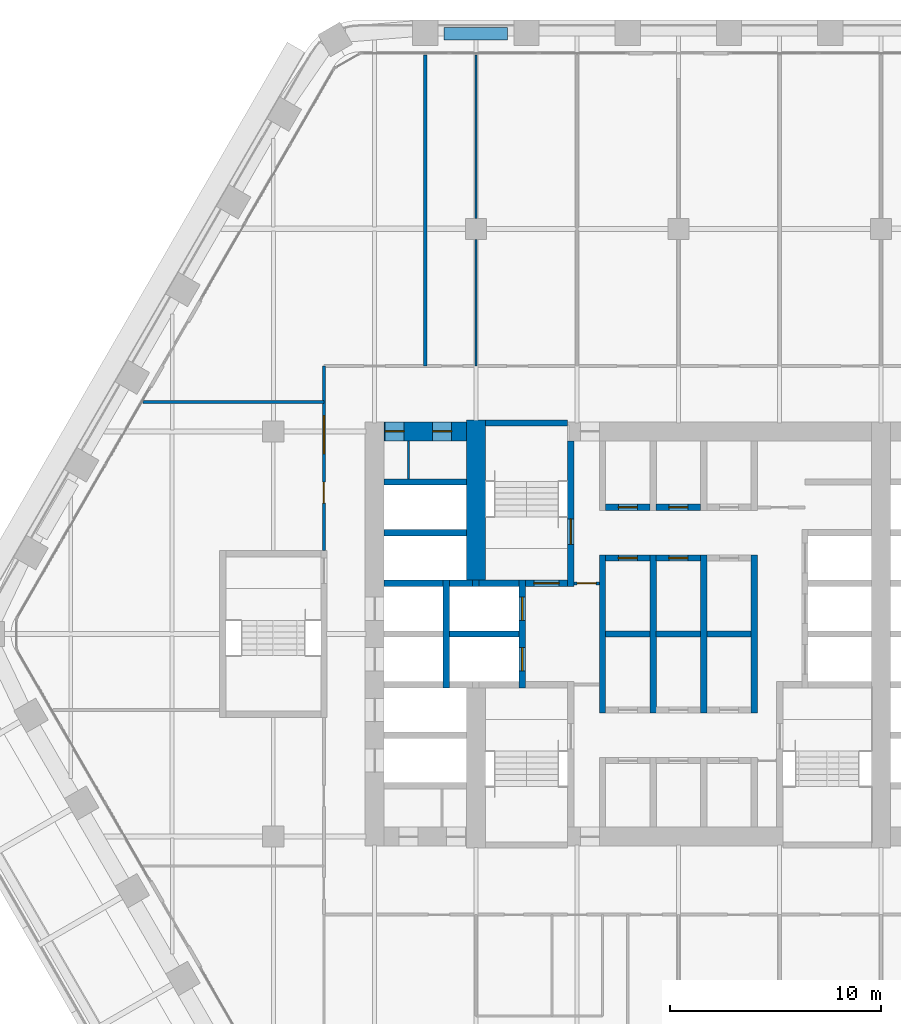
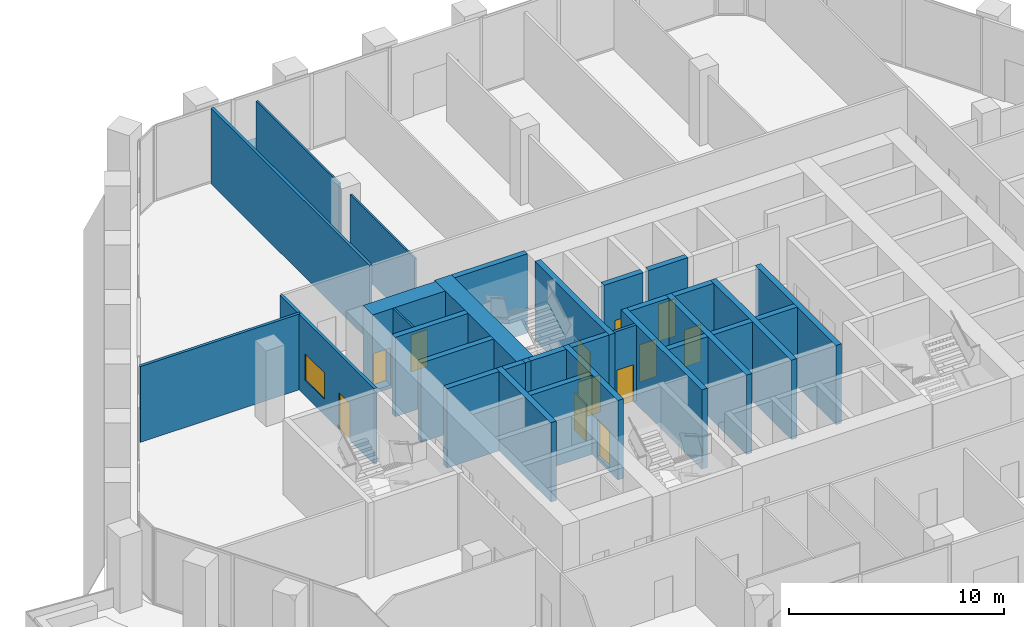
# One storey, part 18 of 27: 33 walls, 12 doors, 1 window, 13 openings.
"""IFC4 building model written with IfcOpenShell, lengths in metres."""

from ifc_helpers import new_model, si_unit, direction, frame, frame_2d, origin, place, context, subcontext, project, spatial, rectangle, extrude, material, layer, layer_set, type_object, element, fill, save


model = new_model("IFC4")

# Units and contexts
model_context = context("Model", 3, precision=1e-05, world=origin(), true_north=direction((0.0, 1.0)))
body_context = subcontext(model_context, "Body", "Model", "MODEL_VIEW")
ifc_project = project(units=[si_unit("LENGTHUNIT", "METRE"), si_unit("AREAUNIT", "SQUARE_METRE"), si_unit("VOLUMEUNIT", "CUBIC_METRE"), si_unit("PLANEANGLEUNIT", "RADIAN"), si_unit("MASSUNIT", "GRAM", prefix="KILO")], contexts=[model_context])

# Site, building, storey
site_placement = place(None, origin())
site = spatial("IfcSite", under=ifc_project, at=site_placement, CompositionType="ELEMENT")
building_placement = place(site_placement, origin())
building = spatial("IfcBuilding", under=site, at=building_placement, Name="Kolab Exchange Tower", CompositionType="ELEMENT")
storey_placement = place(building_placement, frame((0.0, 0.0, 109.39990234375)))
storey = spatial("IfcBuildingStorey", under=building, at=storey_placement, Name="L21", CompositionType="ELEMENT", Elevation=109.39990234375)

# Wall, openings, doors
ifc_material_1 = material(Name="Concrete C70/85", Category="concrete")
ifc_layer_1 = layer(ifc_material_1, 0.89990234375)
ifc_layer_set_1 = layer_set([ifc_layer_1], Name="Concrete C70/85")
wall_type_1 = type_object("IfcWallType", Name="CORE WALL 900 C70/85", PredefinedType="SHEAR", material=ifc_layer_set_1)
wall_1_placement = place(storey_placement, frame((-13.949951171875, 9.60009765625, -0.199951171875), z_axis=(0.0, 0.0, 1.0), x_axis=(1.0, 0.0, 0.0)))
wall_1 = element("IfcWall", 1, at=wall_1_placement, inside=storey, type_object=wall_type_1, Name="wall/L21/core/051", PredefinedType="SHEAR", context=body_context, shape_type="SweptSolid", body=[
    extrude(rectangle(XDim=3.89990234375, YDim=0.89990234375, at=frame_2d((1.949951171875, 0.0))), origin(), (0.0, 0.0, 1.0), 4.5),
])
opening_1_placement = place(wall_1_placement, frame((0.050048828125, 0.0, 0.199951171875)))
opening_1 = element("IfcOpeningElement", 2, at=opening_1_placement, cuts=wall_1, Name="Opening D6-217", PredefinedType="OPENING", context=body_context, shape_type="SweptSolid", body=[
    extrude(rectangle(XDim=0.89990234375, YDim=2.10009765625, at=frame_2d((0.449951171875, 1.050048828125))), frame((0.0, 0.4599609375, 0.0), z_axis=(0.0, -1.0, 0.0), x_axis=(1.0, 0.0, 0.0)), (0.0, 0.0, 1.0), 0.919921875),
])
opening_2_placement = place(wall_1_placement, frame((2.300048828125, 0.0, 0.199951171875)))
opening_2 = element("IfcOpeningElement", 3, at=opening_2_placement, cuts=wall_1, Name="Opening D6-231", PredefinedType="OPENING", context=body_context, shape_type="SweptSolid", body=[
    extrude(rectangle(XDim=0.89990234375, YDim=2.10009765625, at=frame_2d((0.449951171875, 1.050048828125))), frame((0.0, 0.4599609375, 0.0), z_axis=(0.0, -1.0, 0.0), x_axis=(1.0, 0.0, 0.0)), (0.0, 0.0, 1.0), 0.919921875),
])
ifc_material_2 = material(Name="Steel S235", Category="steel")
door_type_1 = type_object("IfcDoorType", Name="CORE DOOR 900 EI 120", OperationType="SINGLE_SWING_LEFT", PredefinedType="DOOR", material=ifc_material_2)
door_1_placement = place(opening_1_placement, frame((0.89990234375, 0.0, 0.0), z_axis=(0.0, 0.0, 1.0), x_axis=(-1.0, 0.0, 0.0)))
door_1 = element("IfcDoor", 4, at=door_1_placement, inside=storey, type_object=door_type_1, Name="Service room door", OperationType="SINGLE_SWING_RIGHT", OverallHeight=2.10009765625, OverallWidth=0.89990234375, PredefinedType="DOOR", context=body_context, shape_type="SweptSolid", body=[
    extrude(rectangle(XDim=0.89990234375, YDim=2.10009765625, at=frame_2d((0.449951171875, 1.050048828125))), frame((0.0, 0.02490234375, 0.0), z_axis=(0.0, -1.0, 0.0), x_axis=(1.0, 0.0, 0.0)), (0.0, 0.0, 1.0), 0.050048828125),
])
fill(opening_1, door_1)
door_2_placement = place(opening_2_placement, frame((0.89990234375, 0.0, 0.0), z_axis=(0.0, 0.0, 1.0), x_axis=(-1.0, 0.0, 0.0)))
door_2 = element("IfcDoor", 5, at=door_2_placement, inside=storey, type_object=door_type_1, Name="Service room door", OperationType="SINGLE_SWING_RIGHT", OverallHeight=2.10009765625, OverallWidth=0.89990234375, PredefinedType="DOOR", context=body_context, shape_type="SweptSolid", body=[
    extrude(rectangle(XDim=0.89990234375, YDim=2.10009765625, at=frame_2d((0.449951171875, 1.050048828125))), frame((0.0, 0.02490234375, 0.0), z_axis=(0.0, -1.0, 0.0), x_axis=(1.0, 0.0, 0.0)), (0.0, 0.0, 1.0), 0.050048828125),
])
fill(opening_2, door_2)

# Walls
wall_2_placement = place(storey_placement, frame((-9.60009765625, 2.550048828125, -0.199951171875), z_axis=(0.0, 0.0, 1.0), x_axis=(0.0, 1.0, 0.0)))
element("IfcWall", 6, at=wall_2_placement, inside=storey, type_object=wall_type_1, Name="wall/L21/core/062", PredefinedType="SHEAR", context=body_context, shape_type="SweptSolid", body=[
    extrude(rectangle(XDim=7.599853515625, YDim=0.89990234375, at=frame_2d((3.7998046875, 0.0))), origin(), (0.0, 0.0, 1.0), 4.5),
])
ifc_material_3 = material(Name="Concrete C50/60", Category="concrete")
ifc_layer_2 = layer(ifc_material_3, 0.300048828125)
ifc_layer_set_2 = layer_set([ifc_layer_2], Name="Concrete C50/60")
wall_type_2 = type_object("IfcWallType", Name="LIFT SHAFT WALL 300 C50/60", PredefinedType="STANDARD", material=ifc_layer_set_2)
wall_3_placement = place(storey_placement, frame((-10.85009765625, 0.0, -0.199951171875), z_axis=(0.0, 0.0, 1.0), x_axis=(1.0, 0.0, 0.0)))
element("IfcWall", 7, at=wall_3_placement, inside=storey, type_object=wall_type_2, Name="wall/L21/core/025", PredefinedType="STANDARD", context=body_context, shape_type="SweptSolid", body=[
    extrude(rectangle(XDim=3.300048828125, YDim=0.300048828125, at=frame_2d((1.64990234375, 0.0))), origin(), (0.0, 0.0, 1.0), 4.5),
])
wall_4_placement = place(storey_placement, frame((-3.449951171875, 0.0, -0.199951171875), z_axis=(0.0, 0.0, 1.0), x_axis=(1.0, 0.0, 0.0)))
element("IfcWall", 8, at=wall_4_placement, inside=storey, type_object=wall_type_2, Name="wall/L21/core/026", PredefinedType="STANDARD", context=body_context, shape_type="SweptSolid", body=[
    extrude(rectangle(XDim=2.099853515625, YDim=0.300048828125, at=frame_2d((1.0498046875, 0.0))), origin(), (0.0, 0.0, 1.0), 4.5),
])
wall_5_placement = place(storey_placement, frame((-1.050048828125, 0.0, -0.199951171875), z_axis=(0.0, 0.0, 1.0), x_axis=(1.0, 0.0, 0.0)))
element("IfcWall", 9, at=wall_5_placement, inside=storey, type_object=wall_type_2, Name="wall/L21/core/027", PredefinedType="STANDARD", context=body_context, shape_type="SweptSolid", body=[
    extrude(rectangle(XDim=2.10009765625, YDim=0.300048828125, at=frame_2d((1.050048828125, 0.0))), origin(), (0.0, 0.0, 1.0), 4.5),
])
wall_6_placement = place(storey_placement, frame((1.35009765625, 0.0, -0.199951171875), z_axis=(0.0, 0.0, 1.0), x_axis=(1.0, 0.0, 0.0)))
element("IfcWall", 10, at=wall_6_placement, inside=storey, type_object=wall_type_2, Name="wall/L21/core/028", PredefinedType="STANDARD", context=body_context, shape_type="SweptSolid", body=[
    extrude(rectangle(XDim=2.099853515625, YDim=0.300048828125, at=frame_2d((1.0498046875, 0.0))), origin(), (0.0, 0.0, 1.0), 4.5),
])
wall_7_placement = place(storey_placement, frame((-13.949951171875, 2.39990234375, -0.199951171875), z_axis=(0.0, 0.0, 1.0), x_axis=(1.0, 0.0, 0.0)))
element("IfcWall", 11, at=wall_7_placement, inside=storey, type_object=wall_type_2, Name="wall/L21/core/031", PredefinedType="STANDARD", context=body_context, shape_type="SweptSolid", body=[
    extrude(rectangle(XDim=2.800048828125, YDim=0.300048828125, at=frame_2d((1.39990234375, 0.0))), origin(), (0.0, 0.0, 1.0), 4.5),
])
wall_8_placement = place(storey_placement, frame((-10.85009765625, 2.39990234375, -0.199951171875), z_axis=(0.0, 0.0, 1.0), x_axis=(1.0, 0.0, 0.0)))
element("IfcWall", 12, at=wall_8_placement, inside=storey, type_object=wall_type_2, Name="wall/L21/core/032", PredefinedType="STANDARD", context=body_context, shape_type="SweptSolid", body=[
    extrude(rectangle(XDim=1.10009765625, YDim=0.300048828125, at=frame_2d((0.550048828125, 0.0))), origin(), (0.0, 0.0, 1.0), 4.5),
])

# Wall, opening, door
wall_9_placement = place(storey_placement, frame((-3.449951171875, 3.60009765625, -0.199951171875), z_axis=(0.0, 0.0, 1.0), x_axis=(1.0, 0.0, 0.0)))
wall_9 = element("IfcWall", 13, at=wall_9_placement, inside=storey, type_object=wall_type_2, Name="wall/L21/core/037", PredefinedType="STANDARD", context=body_context, shape_type="SweptSolid", body=[
    extrude(rectangle(XDim=2.099853515625, YDim=0.300048828125, at=frame_2d((1.0498046875, 0.0))), origin(), (0.0, 0.0, 1.0), 4.5),
])
opening_3_placement = place(wall_9_placement, frame((0.60009765625, 0.0, 0.199951171875)))
opening_3 = element("IfcOpeningElement", 14, at=opening_3_placement, cuts=wall_9, Name="Opening D6-196", PredefinedType="OPENING", context=body_context, shape_type="SweptSolid", body=[
    extrude(rectangle(XDim=0.89990234375, YDim=2.10009765625, at=frame_2d((0.449951171875, 1.050048828125))), frame((0.0, 0.16015625, 0.0), z_axis=(0.0, -1.0, 0.0), x_axis=(1.0, 0.0, 0.0)), (0.0, 0.0, 1.0), 0.320068359375),
])
door_3_placement = place(opening_3_placement, frame((0.89990234375, 0.0, 0.0), z_axis=(0.0, 0.0, 1.0), x_axis=(-1.0, 0.0, 0.0)))
door_3 = element("IfcDoor", 15, at=door_3_placement, inside=storey, type_object=door_type_1, Name="Service room door", OperationType="SINGLE_SWING_LEFT", OverallHeight=2.10009765625, OverallWidth=0.89990234375, PredefinedType="DOOR", context=body_context, shape_type="SweptSolid", body=[
    extrude(rectangle(XDim=0.89990234375, YDim=2.10009765625, at=frame_2d((0.449951171875, 1.050048828125))), frame((0.0, 0.02490234375, 0.0), z_axis=(0.0, -1.0, 0.0), x_axis=(1.0, 0.0, 0.0)), (0.0, 0.0, 1.0), 0.050048828125),
])
fill(opening_3, door_3)

wall_10_placement = place(storey_placement, frame((-1.050048828125, 3.60009765625, -0.199951171875), z_axis=(0.0, 0.0, 1.0), x_axis=(1.0, 0.0, 0.0)))
wall_10 = element("IfcWall", 16, at=wall_10_placement, inside=storey, type_object=wall_type_2, Name="wall/L21/core/038", PredefinedType="STANDARD", context=body_context, shape_type="SweptSolid", body=[
    extrude(rectangle(XDim=2.10009765625, YDim=0.300048828125, at=frame_2d((1.050048828125, 0.0))), origin(), (0.0, 0.0, 1.0), 4.5),
])
opening_4_placement = place(wall_10_placement, frame((0.60009765625, 0.0, 0.199951171875)))
opening_4 = element("IfcOpeningElement", 17, at=opening_4_placement, cuts=wall_10, Name="Opening D6-230", PredefinedType="OPENING", context=body_context, shape_type="SweptSolid", body=[
    extrude(rectangle(XDim=0.89990234375, YDim=2.10009765625, at=frame_2d((0.449951171875, 1.050048828125))), frame((0.0, 0.16015625, 0.0), z_axis=(0.0, -1.0, 0.0), x_axis=(1.0, 0.0, 0.0)), (0.0, 0.0, 1.0), 0.320068359375),
])
door_4_placement = place(opening_4_placement, frame((0.89990234375, 0.0, 0.0), z_axis=(0.0, 0.0, 1.0), x_axis=(-1.0, 0.0, 0.0)))
door_4 = element("IfcDoor", 18, at=door_4_placement, inside=storey, type_object=door_type_1, Name="Service room door", OperationType="SINGLE_SWING_RIGHT", OverallHeight=2.10009765625, OverallWidth=0.89990234375, PredefinedType="DOOR", context=body_context, shape_type="SweptSolid", body=[
    extrude(rectangle(XDim=0.89990234375, YDim=2.10009765625, at=frame_2d((0.449951171875, 1.050048828125))), frame((0.0, 0.02490234375, 0.0), z_axis=(0.0, -1.0, 0.0), x_axis=(1.0, 0.0, 0.0)), (0.0, 0.0, 1.0), 0.050048828125),
])
fill(opening_4, door_4)

# Wall
wall_11_placement = place(storey_placement, frame((-13.949951171875, 4.800048828125, -0.199951171875), z_axis=(0.0, 0.0, 1.0), x_axis=(1.0, 0.0, 0.0)))
element("IfcWall", 19, at=wall_11_placement, inside=storey, type_object=wall_type_2, Name="wall/L21/core/042", PredefinedType="STANDARD", context=body_context, shape_type="SweptSolid", body=[
    extrude(rectangle(XDim=3.89990234375, YDim=0.300048828125, at=frame_2d((1.949951171875, 0.0))), origin(), (0.0, 0.0, 1.0), 4.5),
])

# Wall, opening, door
wall_12_placement = place(storey_placement, frame((-3.449951171875, 6.0, -0.199951171875), z_axis=(0.0, 0.0, 1.0), x_axis=(1.0, 0.0, 0.0)))
wall_12 = element("IfcWall", 20, at=wall_12_placement, inside=storey, type_object=wall_type_2, Name="wall/L21/core/045", PredefinedType="STANDARD", context=body_context, shape_type="SweptSolid", body=[
    extrude(rectangle(XDim=2.099853515625, YDim=0.300048828125, at=frame_2d((1.0498046875, 0.0))), origin(), (0.0, 0.0, 1.0), 4.5),
])
opening_5_placement = place(wall_12_placement, frame((0.60009765625, 0.0, 0.199951171875)))
opening_5 = element("IfcOpeningElement", 21, at=opening_5_placement, cuts=wall_12, Name="Opening D6-193", PredefinedType="OPENING", context=body_context, shape_type="SweptSolid", body=[
    extrude(rectangle(XDim=0.89990234375, YDim=2.10009765625, at=frame_2d((0.449951171875, 1.050048828125))), frame((0.0, 0.16015625, 0.0), z_axis=(0.0, -1.0, 0.0), x_axis=(1.0, 0.0, 0.0)), (0.0, 0.0, 1.0), 0.320068359375),
])
door_5_placement = place(opening_5_placement, origin())
door_5 = element("IfcDoor", 22, at=door_5_placement, inside=storey, type_object=door_type_1, Name="Service room door", OperationType="SINGLE_SWING_LEFT", OverallHeight=2.10009765625, OverallWidth=0.89990234375, PredefinedType="DOOR", context=body_context, shape_type="SweptSolid", body=[
    extrude(rectangle(XDim=0.89990234375, YDim=2.10009765625, at=frame_2d((0.449951171875, 1.050048828125))), frame((0.0, 0.02490234375, 0.0), z_axis=(0.0, -1.0, 0.0), x_axis=(1.0, 0.0, 0.0)), (0.0, 0.0, 1.0), 0.050048828125),
])
fill(opening_5, door_5)

wall_13_placement = place(storey_placement, frame((-1.050048828125, 6.0, -0.199951171875), z_axis=(0.0, 0.0, 1.0), x_axis=(1.0, 0.0, 0.0)))
wall_13 = element("IfcWall", 23, at=wall_13_placement, inside=storey, type_object=wall_type_2, Name="wall/L21/core/046", PredefinedType="STANDARD", context=body_context, shape_type="SweptSolid", body=[
    extrude(rectangle(XDim=2.10009765625, YDim=0.300048828125, at=frame_2d((1.050048828125, 0.0))), origin(), (0.0, 0.0, 1.0), 4.5),
])
opening_6_placement = place(wall_13_placement, frame((0.60009765625, 0.0, 0.199951171875)))
opening_6 = element("IfcOpeningElement", 24, at=opening_6_placement, cuts=wall_13, Name="Opening D6-192", PredefinedType="OPENING", context=body_context, shape_type="SweptSolid", body=[
    extrude(rectangle(XDim=0.89990234375, YDim=2.10009765625, at=frame_2d((0.449951171875, 1.050048828125))), frame((0.0, 0.16015625, 0.0), z_axis=(0.0, -1.0, 0.0), x_axis=(1.0, 0.0, 0.0)), (0.0, 0.0, 1.0), 0.320068359375),
])
door_6_placement = place(opening_6_placement, origin())
door_6 = element("IfcDoor", 25, at=door_6_placement, inside=storey, type_object=door_type_1, Name="Service room door", OperationType="SINGLE_SWING_LEFT", OverallHeight=2.10009765625, OverallWidth=0.89990234375, PredefinedType="DOOR", context=body_context, shape_type="SweptSolid", body=[
    extrude(rectangle(XDim=0.89990234375, YDim=2.10009765625, at=frame_2d((0.449951171875, 1.050048828125))), frame((0.0, 0.02490234375, 0.0), z_axis=(0.0, -1.0, 0.0), x_axis=(1.0, 0.0, 0.0)), (0.0, 0.0, 1.0), 0.050048828125),
])
fill(opening_6, door_6)

# Walls
wall_14_placement = place(storey_placement, frame((-13.949951171875, 7.199951171875, -0.199951171875), z_axis=(0.0, 0.0, 1.0), x_axis=(1.0, 0.0, 0.0)))
element("IfcWall", 26, at=wall_14_placement, inside=storey, type_object=wall_type_2, Name="wall/L21/core/048", PredefinedType="STANDARD", context=body_context, shape_type="SweptSolid", body=[
    extrude(rectangle(XDim=3.89990234375, YDim=0.300048828125, at=frame_2d((1.949951171875, 0.0))), origin(), (0.0, 0.0, 1.0), 4.5),
])
wall_15_placement = place(storey_placement, frame((-11.0, -2.550048828125, -0.199951171875), z_axis=(0.0, 0.0, 1.0), x_axis=(0.0, 1.0, 0.0)))
element("IfcWall", 27, at=wall_15_placement, inside=storey, type_object=wall_type_2, Name="wall/L21/core/058", PredefinedType="STANDARD", context=body_context, shape_type="SweptSolid", body=[
    extrude(rectangle(XDim=5.10009765625, YDim=0.300048828125, at=frame_2d((2.550048828125, 0.0))), origin(), (0.0, 0.0, 1.0), 4.5),
])

# Wall, openings, doors
wall_16_placement = place(storey_placement, frame((-7.39990234375, -2.550048828125, -0.199951171875), z_axis=(0.0, 0.0, 1.0), x_axis=(0.0, 1.0, 0.0)))
wall_16 = element("IfcWall", 28, at=wall_16_placement, inside=storey, type_object=wall_type_2, Name="wall/L21/core/063", PredefinedType="STANDARD", context=body_context, shape_type="SweptSolid", body=[
    extrude(rectangle(XDim=5.10009765625, YDim=0.300048828125, at=frame_2d((2.550048828125, 0.0))), origin(), (0.0, 0.0, 1.0), 4.5),
])
opening_7_placement = place(wall_16_placement, frame((0.800048828125, 0.0, 0.199951171875)))
opening_7 = element("IfcOpeningElement", 29, at=opening_7_placement, cuts=wall_16, Name="Opening LD2-017", PredefinedType="OPENING", context=body_context, shape_type="SweptSolid", body=[
    extrude(rectangle(XDim=1.10009765625, YDim=2.10009765625, at=frame_2d((0.550048828125, 1.050048828125))), frame((0.0, 0.16015625, 0.0), z_axis=(0.0, -1.0, 0.0), x_axis=(1.0, 0.0, 0.0)), (0.0, 0.0, 1.0), 0.320068359375),
])
opening_8_placement = place(wall_16_placement, frame((3.199951171875, 0.0, 0.199951171875)))
opening_8 = element("IfcOpeningElement", 30, at=opening_8_placement, cuts=wall_16, Name="Opening LD2-018", PredefinedType="OPENING", context=body_context, shape_type="SweptSolid", body=[
    extrude(rectangle(XDim=1.10009765625, YDim=2.10009765625, at=frame_2d((0.550048828125, 1.050048828125))), frame((0.0, 0.16015625, 0.0), z_axis=(0.0, -1.0, 0.0), x_axis=(1.0, 0.0, 0.0)), (0.0, 0.0, 1.0), 0.320068359375),
])
ifc_material_4 = material(Name="Stainless steel 316", Category="steel")
door_type_2 = type_object("IfcDoorType", Name="LANDING DOOR 1100 FIREFIGHTING", OperationType="DOUBLE_DOOR_SLIDING", PredefinedType="DOOR", material=ifc_material_4)
door_7_placement = place(opening_7_placement, origin())
door_7 = element("IfcDoor", 31, at=door_7_placement, inside=storey, type_object=door_type_2, Name="Landing door FF1", OperationType="DOUBLE_DOOR_SLIDING", OverallHeight=2.10009765625, OverallWidth=1.10009765625, PredefinedType="DOOR", context=body_context, shape_type="SweptSolid", body=[
    extrude(rectangle(XDim=1.10009765625, YDim=2.10009765625, at=frame_2d((0.550048828125, 1.050048828125))), frame((0.0, 0.02490234375, 0.0), z_axis=(0.0, -1.0, 0.0), x_axis=(1.0, 0.0, 0.0)), (0.0, 0.0, 1.0), 0.050048828125),
])
fill(opening_7, door_7)
door_8_placement = place(opening_8_placement, origin())
door_8 = element("IfcDoor", 32, at=door_8_placement, inside=storey, type_object=door_type_2, Name="Landing door FF2", OperationType="DOUBLE_DOOR_SLIDING", OverallHeight=2.10009765625, OverallWidth=1.10009765625, PredefinedType="DOOR", context=body_context, shape_type="SweptSolid", body=[
    extrude(rectangle(XDim=1.10009765625, YDim=2.10009765625, at=frame_2d((0.550048828125, 1.050048828125))), frame((0.0, 0.02490234375, 0.0), z_axis=(0.0, -1.0, 0.0), x_axis=(1.0, 0.0, 0.0)), (0.0, 0.0, 1.0), 0.050048828125),
])
fill(opening_8, door_8)

# Walls
for number, where, z_axis, x_axis, name in (
    (33, (-3.60009765625, -3.75, -0.199951171875), (0.0, 0.0, 1.0), (0.0, 1.0, 0.0), "wall/L21/core/067"),
    (34, (-1.199951171875, -3.75, -0.199951171875), (0.0, 0.0, 1.0), (0.0, 1.0, 0.0), "wall/L21/core/070"),
    (35, (1.199951171875, -3.75, -0.199951171875), (0.0, 0.0, 1.0), (0.0, 1.0, 0.0), "wall/L21/core/073"),
    (36, (3.60009765625, -3.75, -0.199951171875), (0.0, 0.0, 1.0), (0.0, 1.0, 0.0), "wall/L21/core/076"),
):
    element("IfcWall", number, at=place(storey_placement, frame(where, z_axis=z_axis, x_axis=x_axis)), inside=storey, type_object=wall_type_2, Name=name, PredefinedType="STANDARD", context=body_context, shape_type="SweptSolid", body=[
        extrude(rectangle(XDim=7.5, YDim=0.300048828125, at=frame_2d((3.75, 0.0))), origin(), (0.0, 0.0, 1.0), 4.5),
    ])
ifc_material_5 = material(Name="Gypsum board", Category="gypsum")
ifc_layer_3 = layer(ifc_material_5, 0.10009765625)
ifc_layer_set_3 = layer_set([ifc_layer_3], Name="Gypsum board")
wall_type_3 = type_object("IfcWallType", Name="PARTITION 100", PredefinedType="PARTITIONING", material=ifc_layer_set_3)
wall_17_placement = place(storey_placement, frame((-9.60009765625, 12.699951171875, 0.0), z_axis=(0.0, 0.0, 1.0), x_axis=(0.0, 1.0, 0.0)))
element("IfcWall", 37, at=wall_17_placement, inside=storey, type_object=wall_type_3, Name="Partition 020", PredefinedType="PARTITIONING", context=body_context, shape_type="SweptSolid", body=[
    extrude(rectangle(XDim=6.0, YDim=0.10009765625, at=frame_2d((3.0, 0.0))), origin(), (0.0, 0.0, 1.0), 3.843017578125),
])
wall_18_placement = place(storey_placement, frame((-9.60009765625, 19.699951171875, 0.0), z_axis=(0.0, 0.0, 1.0), x_axis=(0.0, 1.0, 0.0)))
element("IfcWall", 38, at=wall_18_placement, inside=storey, type_object=wall_type_3, Name="Partition 021", PredefinedType="PARTITIONING", context=body_context, shape_type="SweptSolid", body=[
    extrude(rectangle(XDim=7.728515625, YDim=0.10009765625, at=frame_2d((3.8642578125, 0.0))), origin(), (0.0, 0.0, 1.0), 3.843017578125),
])
wall_19_placement = place(storey_placement, frame((-12.800048828125, 7.35009765625, 0.0), z_axis=(0.0, 0.0, 1.0), x_axis=(0.0, 1.0, 0.0)))
element("IfcWall", 39, at=wall_19_placement, inside=storey, type_object=wall_type_3, Name="Partition 024", PredefinedType="PARTITIONING", context=body_context, shape_type="SweptSolid", body=[
    extrude(rectangle(XDim=1.7998046875, YDim=0.10009765625, at=frame_2d((0.89990234375, 0.0))), origin(), (0.0, 0.0, 1.0), 4.300048828125),
])
ifc_layer_4 = layer(ifc_material_5, 0.14990234375)
ifc_layer_set_4 = layer_set([ifc_layer_4], Name="Gypsum board")
wall_type_4 = type_object("IfcWallType", Name="PARTITION 150 FIRE-RATED", PredefinedType="PARTITIONING", material=ifc_layer_set_4)
wall_20_placement = place(storey_placement, frame((-12.0, 12.699951171875, 0.0), z_axis=(0.0, 0.0, 1.0), x_axis=(0.0, 1.0, 0.0)))
element("IfcWall", 40, at=wall_20_placement, inside=storey, type_object=wall_type_4, Name="Partition 023", PredefinedType="PARTITIONING", context=body_context, shape_type="SweptSolid", body=[
    extrude(rectangle(XDim=14.728515625, YDim=0.14990234375, at=frame_2d((7.3642578125, 0.0))), origin(), (0.0, 0.0, 1.0), 4.300048828125),
])

# Wall, openings, door, window
wall_21_placement = place(storey_placement, frame((-16.800048828125, 3.949951171875, 0.0), z_axis=(0.0, 0.0, 1.0), x_axis=(0.0, 1.0, 0.0)))
wall_21 = element("IfcWall", 41, at=wall_21_placement, inside=storey, type_object=wall_type_4, Name="Partition 027", PredefinedType="PARTITIONING", context=body_context, shape_type="SweptSolid", body=[
    extrude(rectangle(XDim=8.75, YDim=0.14990234375, at=frame_2d((4.375, 0.0))), origin(), (0.0, 0.0, 1.0), 4.300048828125),
])
opening_9_placement = place(wall_21_placement, frame((2.25, 0.0, 0.0)))
opening_9 = element("IfcOpeningElement", 42, at=opening_9_placement, cuts=wall_21, Name="Opening D1-299", PredefinedType="OPENING", context=body_context, shape_type="SweptSolid", body=[
    extrude(rectangle(XDim=1.0, YDim=2.10009765625, at=frame_2d((0.5, 1.050048828125))), frame((0.0, 0.0849609375, 0.0), z_axis=(0.0, -1.0, 0.0), x_axis=(1.0, 0.0, 0.0)), (0.0, 0.0, 1.0), 0.169921875),
])
opening_10_placement = place(wall_21_placement, frame((4.60009765625, 0.0, 0.89990234375)))
opening_10 = element("IfcOpeningElement", 43, at=opening_10_placement, cuts=wall_21, Name="Opening W1-009", PredefinedType="OPENING", context=body_context, shape_type="SweptSolid", body=[
    extrude(rectangle(XDim=1.800048828125, YDim=1.5, at=frame_2d((0.89990234375, 0.75))), frame((0.0, 0.0849609375, 0.0), z_axis=(0.0, -1.0, 0.0), x_axis=(1.0, 0.0, 0.0)), (0.0, 0.0, 1.0), 0.169921875),
])
door_type_3 = type_object("IfcDoorType", Name="FLUSH DOOR 1000 FD60", OperationType="SINGLE_SWING_LEFT", PredefinedType="DOOR", material=ifc_material_2)
door_9_placement = place(opening_9_placement, origin())
door_9 = element("IfcDoor", 44, at=door_9_placement, inside=storey, type_object=door_type_3, Name="Door L21-068", OperationType="SINGLE_SWING_LEFT", OverallHeight=2.10009765625, OverallWidth=1.0, PredefinedType="DOOR", context=body_context, shape_type="SweptSolid", body=[
    extrude(rectangle(XDim=1.0, YDim=2.10009765625, at=frame_2d((0.5, 1.050048828125))), frame((0.0, 0.02490234375, 0.0), z_axis=(0.0, -1.0, 0.0), x_axis=(1.0, 0.0, 0.0)), (0.0, 0.0, 1.0), 0.050048828125),
])
fill(opening_9, door_9)
ifc_material_6 = material(Name="Fire-rated glazing", Category="glass")
window_type = type_object("IfcWindowType", Name="OBSERVATION WINDOW 1800 X 1500 EI 60", PartitioningType="SINGLE_PANEL", PredefinedType="WINDOW", material=ifc_material_6)
window_placement = place(opening_10_placement, origin())
window = element("IfcWindow", 45, at=window_placement, inside=storey, type_object=window_type, Name="Viewing window L21-1", OverallHeight=1.5, OverallWidth=1.800048828125, PartitioningType="SINGLE_PANEL", PredefinedType="WINDOW", context=body_context, shape_type="SweptSolid", body=[
    extrude(rectangle(XDim=1.800048828125, YDim=1.5, at=frame_2d((0.89990234375, 0.75))), frame((0.0, 0.030029296875, 0.0), z_axis=(0.0, -1.0, 0.0), x_axis=(1.0, 0.0, 0.0)), (0.0, 0.0, 1.0), 0.06005859375),
])
fill(opening_10, window)

# Wall
wall_22_placement = place(storey_placement, frame((-25.37841796875, 11.0, 0.0), z_axis=(0.0, 0.0, 1.0), x_axis=(1.0, 0.0, 0.0)))
element("IfcWall", 46, at=wall_22_placement, inside=storey, type_object=wall_type_4, Name="Partition 040", PredefinedType="PARTITIONING", context=body_context, shape_type="SweptSolid", body=[
    extrude(rectangle(XDim=8.578369140625, YDim=0.14990234375, at=frame_2d((4.2890625, 0.0))), origin(), (0.0, 0.0, 1.0), 4.300048828125),
])

# Wall, opening, door
wall_23_placement = place(storey_placement, frame((-4.949951171875, 2.39990234375, 0.0), z_axis=(0.0, 0.0, 1.0), x_axis=(1.0, 0.0, 0.0)))
wall_23 = element("IfcWall", 47, at=wall_23_placement, inside=storey, type_object=wall_type_4, Name="Fire partition", PredefinedType="PARTITIONING", context=body_context, shape_type="SweptSolid", body=[
    extrude(rectangle(XDim=1.199951171875, YDim=0.14990234375, at=frame_2d((0.60009765625, 0.0))), origin(), (0.0, 0.0, 1.0), 4.300048828125),
])
opening_11_placement = place(wall_23_placement, frame((0.14990234375, 0.0, 0.0)))
opening_11 = element("IfcOpeningElement", 48, at=opening_11_placement, cuts=wall_23, Name="Opening D6-204", PredefinedType="OPENING", context=body_context, shape_type="SweptSolid", body=[
    extrude(rectangle(XDim=0.89990234375, YDim=2.10009765625, at=frame_2d((0.449951171875, 1.050048828125))), frame((0.0, 0.0849609375, 0.0), z_axis=(0.0, -1.0, 0.0), x_axis=(1.0, 0.0, 0.0)), (0.0, 0.0, 1.0), 0.169921875),
])
door_10_placement = place(opening_11_placement, frame((0.89990234375, 0.0, 0.0), z_axis=(0.0, 0.0, 1.0), x_axis=(-1.0, 0.0, 0.0)))
door_10 = element("IfcDoor", 49, at=door_10_placement, inside=storey, type_object=door_type_1, Name="Firefighting lobby door", OperationType="SINGLE_SWING_RIGHT", OverallHeight=2.10009765625, OverallWidth=0.89990234375, PredefinedType="DOOR", context=body_context, shape_type="SweptSolid", body=[
    extrude(rectangle(XDim=0.89990234375, YDim=2.10009765625, at=frame_2d((0.449951171875, 1.050048828125))), frame((0.0, 0.02490234375, 0.0), z_axis=(0.0, -1.0, 0.0), x_axis=(1.0, 0.0, 0.0)), (0.0, 0.0, 1.0), 0.050048828125),
])
fill(opening_11, door_10)

# Walls
ifc_material_7 = material(Name="Granite facing", Category="masonry")
ifc_layer_5 = layer(ifc_material_7, 0.0400390625)
ifc_material_8 = material(Name="Concrete C40/50 precast", Category="concrete")
ifc_layer_6 = layer(ifc_material_8, 0.56005859375)
ifc_layer_set_5 = layer_set([ifc_layer_5, ifc_layer_6], Name="Concrete C40/50 precast")
wall_type_5 = type_object("IfcWallType", Name="PLANTER BOX 600 X 700 SOIL DEPTH 550", PredefinedType="USERDEFINED", material=ifc_layer_set_5)
wall_24_placement = place(storey_placement, frame((-11.10009765625, 28.448486328125, 0.0), z_axis=(0.0, 0.0, 1.0), x_axis=(1.0, 0.0, 0.0)))
element("IfcWall", 50, at=wall_24_placement, inside=storey, type_object=wall_type_5, Name="Planter", ObjectType="PLANTER", PredefinedType="USERDEFINED", context=body_context, shape_type="SweptSolid", body=[
    extrude(rectangle(XDim=3.0, YDim=0.60009765625, at=frame_2d((1.5, 0.0))), origin(), (0.0, 0.0, 1.0), 0.7001953125),
])
ifc_layer_7 = layer(ifc_material_3, 0.300048828125)
ifc_layer_set_6 = layer_set([ifc_layer_7], Name="Concrete C50/60")
wall_type_6 = type_object("IfcWallType", Name="STAIR ENCLOSURE WALL 300 C50/60", PredefinedType="STANDARD", material=ifc_layer_set_6)
wall_25_placement = place(storey_placement, frame((-9.449951171875, 2.39990234375, -0.199951171875), z_axis=(0.0, 0.0, 1.0), x_axis=(1.0, 0.0, 0.0)))
element("IfcWall", 51, at=wall_25_placement, inside=storey, type_object=wall_type_6, Name="wall/L21/core/033", PredefinedType="STANDARD", context=body_context, shape_type="SweptSolid", body=[
    extrude(rectangle(XDim=1.89990234375, YDim=0.300048828125, at=frame_2d((0.949951171875, 0.0))), origin(), (0.0, 0.0, 1.0), 4.5),
])

# Wall, opening, door
wall_26_placement = place(storey_placement, frame((-7.25, 2.39990234375, -0.199951171875), z_axis=(0.0, 0.0, 1.0), x_axis=(1.0, 0.0, 0.0)))
wall_26 = element("IfcWall", 52, at=wall_26_placement, inside=storey, type_object=wall_type_6, Name="wall/L21/core/034", PredefinedType="STANDARD", context=body_context, shape_type="SweptSolid", body=[
    extrude(rectangle(XDim=2.0, YDim=0.300048828125, at=frame_2d((1.0, 0.0))), origin(), (0.0, 0.0, 1.0), 4.5),
])
opening_12_placement = place(wall_26_placement, frame((0.39990234375, 0.0, 0.199951171875)))
opening_12 = element("IfcOpeningElement", 53, at=opening_12_placement, cuts=wall_26, Name="Opening D4-043", PredefinedType="OPENING", context=body_context, shape_type="SweptSolid", body=[
    extrude(rectangle(XDim=1.199951171875, YDim=2.10009765625, at=frame_2d((0.60009765625, 1.050048828125))), frame((0.0, 0.16015625, 0.0), z_axis=(0.0, -1.0, 0.0), x_axis=(1.0, 0.0, 0.0)), (0.0, 0.0, 1.0), 0.320068359375),
])
door_type_4 = type_object("IfcDoorType", Name="STAIR DOOR 1200 EI 120", OperationType="SINGLE_SWING_LEFT", PredefinedType="DOOR", material=ifc_material_2)
door_11_placement = place(opening_12_placement, origin())
door_11 = element("IfcDoor", 54, at=door_11_placement, inside=storey, type_object=door_type_4, Name="Stair 1 door", OperationType="SINGLE_SWING_RIGHT", OverallHeight=2.10009765625, OverallWidth=1.199951171875, PredefinedType="DOOR", context=body_context, shape_type="SweptSolid", body=[
    extrude(rectangle(XDim=1.199951171875, YDim=2.10009765625, at=frame_2d((0.60009765625, 1.050048828125))), frame((0.0, 0.02490234375, 0.0), z_axis=(0.0, -1.0, 0.0), x_axis=(1.0, 0.0, 0.0)), (0.0, 0.0, 1.0), 0.050048828125),
])
fill(opening_12, door_11)

# Walls
wall_27_placement = place(storey_placement, frame((-9.14990234375, 10.0, -0.199951171875), z_axis=(0.0, 0.0, 1.0), x_axis=(1.0, 0.0, 0.0)))
element("IfcWall", 55, at=wall_27_placement, inside=storey, type_object=wall_type_6, Name="wall/L21/core/054", PredefinedType="STANDARD", context=body_context, shape_type="SweptSolid", body=[
    extrude(rectangle(XDim=3.89990234375, YDim=0.300048828125, at=frame_2d((1.949951171875, 0.0))), origin(), (0.0, 0.0, 1.0), 4.5),
])
wall_28_placement = place(storey_placement, frame((-9.60009765625, 2.25, -0.199951171875), z_axis=(0.0, 0.0, 1.0), x_axis=(0.0, 1.0, 0.0)))
element("IfcWall", 56, at=wall_28_placement, inside=storey, type_object=wall_type_6, Name="wall/L21/core/061", PredefinedType="STANDARD", context=body_context, shape_type="SweptSolid", body=[
    extrude(rectangle(XDim=0.300048828125, YDim=0.300048828125, at=frame_2d((0.14990234375, 0.0))), origin(), (0.0, 0.0, 1.0), 4.5),
])

# Wall, opening, door
wall_29_placement = place(storey_placement, frame((-5.10009765625, 2.25, -0.199951171875), z_axis=(0.0, 0.0, 1.0), x_axis=(0.0, 1.0, 0.0)))
wall_29 = element("IfcWall", 57, at=wall_29_placement, inside=storey, type_object=wall_type_6, Name="wall/L21/core/065", PredefinedType="STANDARD", context=body_context, shape_type="SweptSolid", body=[
    extrude(rectangle(XDim=6.89990234375, YDim=0.300048828125, at=frame_2d((3.449951171875, 0.0))), origin(), (0.0, 0.0, 1.0), 4.5),
])
opening_13_placement = place(wall_29_placement, frame((2.0, 0.0, 0.199951171875)))
opening_13 = element("IfcOpeningElement", 58, at=opening_13_placement, cuts=wall_29, Name="Opening D4-044", PredefinedType="OPENING", context=body_context, shape_type="SweptSolid", body=[
    extrude(rectangle(XDim=1.199951171875, YDim=2.10009765625, at=frame_2d((0.60009765625, 1.050048828125))), frame((0.0, 0.16015625, 0.0), z_axis=(0.0, -1.0, 0.0), x_axis=(1.0, 0.0, 0.0)), (0.0, 0.0, 1.0), 0.320068359375),
])
door_12_placement = place(opening_13_placement, origin())
door_12 = element("IfcDoor", 59, at=door_12_placement, inside=storey, type_object=door_type_4, Name="Stair 1 door", OperationType="SINGLE_SWING_LEFT", OverallHeight=2.10009765625, OverallWidth=1.199951171875, PredefinedType="DOOR", context=body_context, shape_type="SweptSolid", body=[
    extrude(rectangle(XDim=1.199951171875, YDim=2.10009765625, at=frame_2d((0.60009765625, 1.050048828125))), frame((0.0, 0.02490234375, 0.0), z_axis=(0.0, -1.0, 0.0), x_axis=(1.0, 0.0, 0.0)), (0.0, 0.0, 1.0), 0.050048828125),
])
fill(opening_13, door_12)

save(model, "model.ifc")
